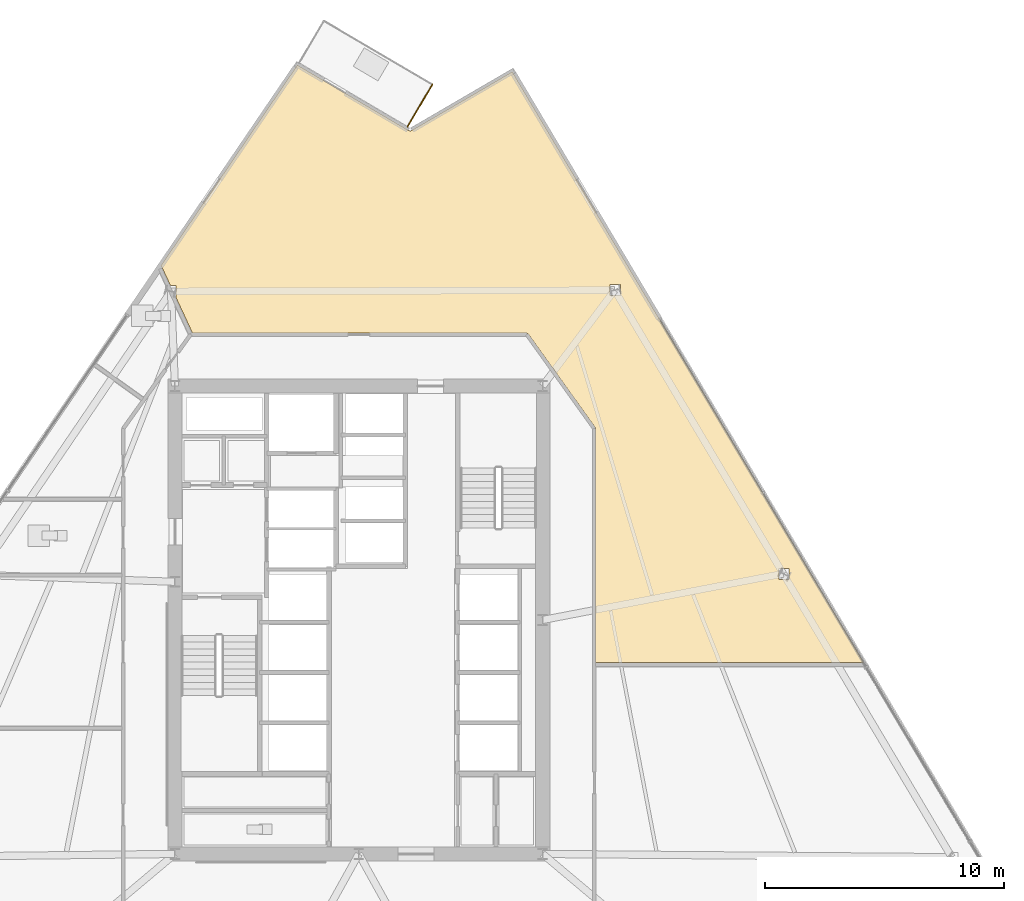
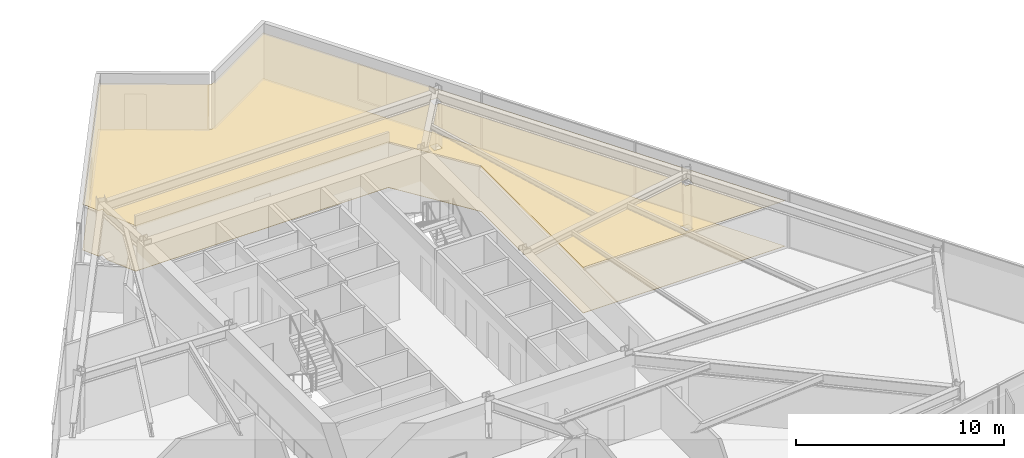
# One storey, part 17 of 18: 2 coverings, 1 railing.
"""IFC4 building model written with IfcOpenShell, lengths in metres."""

from ifc_helpers import new_model, si_unit, direction, frame, origin, origin_2d, place, context, subcontext, project, spatial, polyline, circle, outline, extrude, material, layer, layer_set, type_object, element, save


model = new_model("IFC4")

# Units and contexts
model_context = context("Model", 3, precision=1e-05, world=origin(), true_north=direction((0.0, 1.0)))
body_context = subcontext(model_context, "Body", "Model", "MODEL_VIEW")
ifc_project = project(units=[si_unit("LENGTHUNIT", "METRE"), si_unit("AREAUNIT", "SQUARE_METRE"), si_unit("VOLUMEUNIT", "CUBIC_METRE"), si_unit("PLANEANGLEUNIT", "RADIAN"), si_unit("MASSUNIT", "GRAM", prefix="KILO")], contexts=[model_context])

# Site, building, storey
site_placement = place(None, origin())
site = spatial("IfcSite", under=ifc_project, at=site_placement, CompositionType="ELEMENT")
building_placement = place(site_placement, origin())
building = spatial("IfcBuilding", under=site, at=building_placement, Name="Savorim Split Tower", CompositionType="ELEMENT")
storey_placement = place(building_placement, frame((0.0, 0.0, 37.199951171875)))
storey = spatial("IfcBuildingStorey", under=building, at=storey_placement, Name="L09", CompositionType="ELEMENT", Elevation=37.199951171875)

# Coverings
ifc_material_1 = material(Name="Mineral Fibre Acoustic Ceiling")
ifc_layer_1 = layer(ifc_material_1, 0.02490234375)
ifc_layer_set_1 = layer_set([ifc_layer_1], Name="COV-CEIL-25")
covering_type_1 = type_object("IfcCoveringType", Name="COV-CEIL-25", PredefinedType="CEILING", material=ifc_layer_set_1)
covering_1_placement = place(storey_placement, frame((0.0, 0.0, 2.670166015625)))
element("IfcCovering", 1, at=covering_1_placement, inside=storey, type_object=covering_type_1, Name="L09 Co-Working Commons Acoustic Ceiling", PredefinedType="CEILING", context=body_context, shape_type="SweptSolid", body=[
    extrude(outline(polyline([(2.110107421875, 20.895263671875), (2.099365234375, 20.899658203125), (2.089111328125, 20.90478515625), (-2.572509765625, 23.644775390625), (-8.302001953125, 15.222412109375), (-8.271484375, 15.236328125), (-7.88525390625, 14.402587890625), (-7.663818359375, 14.402587890625), (-7.663818359375, 13.936767578125), (-7.669189453125, 13.936767578125), (-6.9775390625, 12.444091796875), (-6.96630859375, 12.419921875), (7.0, 12.419921875), (7.01318359375, 12.41943359375), (7.0263671875, 12.41748046875), (7.039306640625, 12.414306640625), (7.052001953125, 12.409912109375), (7.06396484375, 12.404541015625), (7.075439453125, 12.39794921875), (7.086181640625, 12.39013671875), (7.096435546875, 12.381591796875), (7.105712890625, 12.3720703125), (7.11376953125, 12.361572265625), (9.893798828125, 8.4814453125), (9.901611328125, 8.46923828125), (9.908203125, 8.456298828125), (9.913330078125, 8.44287109375), (9.9169921875, 8.4287109375), (9.919189453125, 8.41455078125), (9.919921875, 8.39990234375), (9.919921875, -1.370361328125), (21.139404296875, -1.370361328125), (6.431396484375, 23.36474609375), (2.21044921875, 20.90478515625), (2.2001953125, 20.8994140625), (2.189453125, 20.89501953125), (2.178466796875, 20.891845703125), (2.1669921875, 20.8896484375), (2.155517578125, 20.888427734375), (2.14404296875, 20.888427734375), (2.132568359375, 20.8896484375), (2.12109375, 20.891845703125), (2.110107421875, 20.895263671875)]), holes=[polyline([(18.02978515625, 2.08935546875), (18.02978515625, 2.555419921875), (17.59375, 2.555419921875), (17.59375, 2.08935546875), (18.02978515625, 2.08935546875)]), polyline([(10.9560546875, 14.451416015625), (10.52001953125, 14.451416015625), (10.52001953125, 13.985595703125), (10.9560546875, 13.985595703125), (10.9560546875, 14.451416015625)])]), origin(), (0.0, 0.0, 1.0), 0.02490234375),
])
ifc_material_2 = material(Name="Porcelain Stoneware Flooring", Category="masonry")
ifc_layer_2 = layer(ifc_material_2, 0.02001953125)
ifc_layer_set_2 = layer_set([ifc_layer_2], Name="COV-FLOR-20")
covering_type_2 = type_object("IfcCoveringType", Name="COV-FLOR-20", PredefinedType="FLOORING", material=ifc_layer_set_2)
covering_2_placement = place(storey_placement, origin())
element("IfcCovering", 2, at=covering_2_placement, inside=storey, type_object=covering_type_2, Name="L09 Co-Working Commons Porcelain Flooring", PredefinedType="FLOORING", context=body_context, shape_type="SweptSolid", body=[
    extrude(outline(polyline([(2.110107421875, 20.895263671875), (2.099365234375, 20.899658203125), (2.089111328125, 20.90478515625), (-2.572509765625, 23.644775390625), (-8.302001953125, 15.222412109375), (-8.271484375, 15.236328125), (-7.88525390625, 14.402587890625), (-7.663818359375, 14.402587890625), (-7.663818359375, 13.936767578125), (-7.669189453125, 13.936767578125), (-6.9775390625, 12.444091796875), (-6.96630859375, 12.419921875), (7.0, 12.419921875), (7.01318359375, 12.41943359375), (7.0263671875, 12.41748046875), (7.039306640625, 12.414306640625), (7.052001953125, 12.409912109375), (7.06396484375, 12.404541015625), (7.075439453125, 12.39794921875), (7.086181640625, 12.39013671875), (7.096435546875, 12.381591796875), (7.105712890625, 12.3720703125), (7.11376953125, 12.361572265625), (9.893798828125, 8.4814453125), (9.901611328125, 8.46923828125), (9.908203125, 8.456298828125), (9.913330078125, 8.44287109375), (9.9169921875, 8.4287109375), (9.919189453125, 8.41455078125), (9.919921875, 8.39990234375), (9.919921875, -1.370361328125), (21.139404296875, -1.370361328125), (6.431396484375, 23.36474609375), (2.21044921875, 20.90478515625), (2.2001953125, 20.8994140625), (2.189453125, 20.89501953125), (2.178466796875, 20.891845703125), (2.1669921875, 20.8896484375), (2.155517578125, 20.888427734375), (2.14404296875, 20.888427734375), (2.132568359375, 20.8896484375), (2.12109375, 20.891845703125), (2.110107421875, 20.895263671875)]), holes=[polyline([(18.02978515625, 2.08935546875), (18.02978515625, 2.555419921875), (17.59375, 2.555419921875), (17.59375, 2.08935546875), (18.02978515625, 2.08935546875)]), polyline([(10.9560546875, 14.451416015625), (10.52001953125, 14.451416015625), (10.52001953125, 13.985595703125), (10.9560546875, 13.985595703125), (10.9560546875, 14.451416015625)])]), origin(), (0.0, 0.0, 1.0), 0.02001953125),
])

# Railing
ifc_material_3 = material(Name="Galvanised Painted Steel Balustrade", Category="steel")
railing_type = type_object("IfcRailingType", Name="RLG-BAL-1100", PredefinedType="BALUSTRADE", material=ifc_material_3)
railing_placement = place(storey_placement, frame((3.085205078125, 22.836669921875, 0.0)))
element("IfcRailing", 3, at=railing_placement, inside=storey, type_object=railing_type, Name="L09 Tree Balcony Guardrail N-3", PredefinedType="BALUSTRADE", context=body_context, shape_type="SweptSolid", body=[
    extrude(circle(Radius=0.02392578125, at=origin_2d()), frame((0.0, 0.0, 1.076171875), z_axis=(-0.506681829236, -0.862133124246, 0.0), x_axis=(0.862133124246, -0.506681829236, 0.0)), (0.0, 0.0, 1.0), 2.05029296875),
    extrude(circle(Radius=0.02099609375, at=origin_2d()), origin(), (0.0, 0.0, 1.0), 1.052001953125),
    extrude(circle(Radius=0.02099609375, at=origin_2d()), frame((-0.51953125, -0.8837890625, 0.0)), (0.0, 0.0, 1.0), 1.052001953125),
    extrude(circle(Radius=0.02099609375, at=origin_2d()), frame((-1.038818359375, -1.767578125, 0.0)), (0.0, 0.0, 1.0), 1.052001953125),
])

save(model, "model.ifc")
